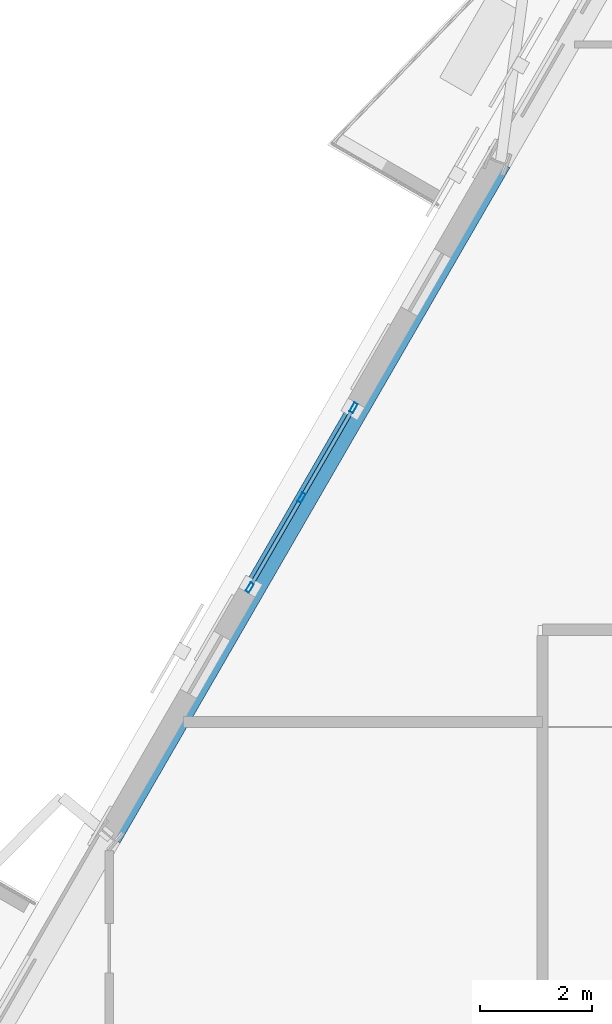
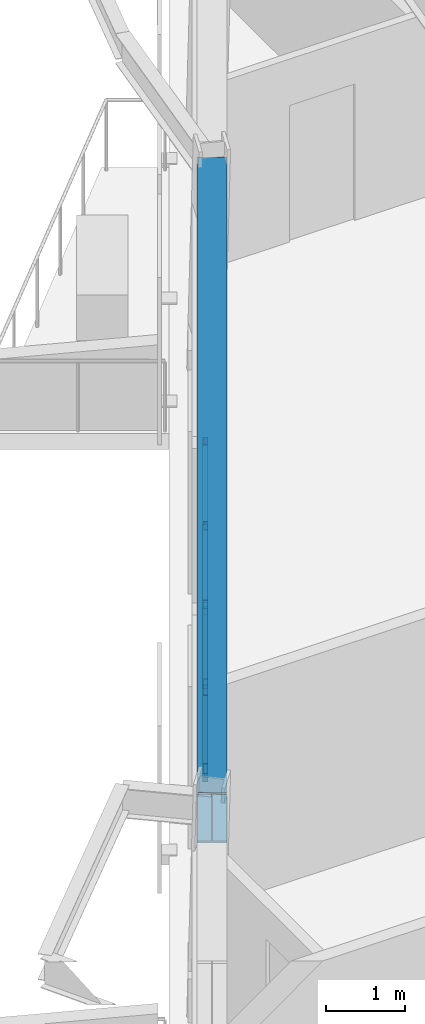
# One storey, part 5 of 16: 9 members, 1 beam, 1 element without a shape of its own.
"""IFC4 building model written with IfcOpenShell, lengths in metres."""

from ifc_helpers import new_model, si_unit, direction, frame, origin, origin_2d, place, context, subcontext, project, spatial, hollow_rectangle, i_section, extrude, material, layer, layer_set, material_profile, profile_set, type_object, element, aggregate, save


model = new_model("IFC4")

# Units and contexts
model_context = context("Model", 3, precision=1e-05, world=origin(), true_north=direction((0.0, 1.0)))
body_context = subcontext(model_context, "Body", "Model", "MODEL_VIEW")
ifc_project = project(units=[si_unit("LENGTHUNIT", "METRE"), si_unit("AREAUNIT", "SQUARE_METRE"), si_unit("VOLUMEUNIT", "CUBIC_METRE"), si_unit("PLANEANGLEUNIT", "RADIAN"), si_unit("MASSUNIT", "GRAM", prefix="KILO")], contexts=[model_context])

# Site, building, storey
site_placement = place(None, origin())
site = spatial("IfcSite", under=ifc_project, at=site_placement, CompositionType="ELEMENT")
building_placement = place(site_placement, origin())
building = spatial("IfcBuilding", under=site, at=building_placement, Name="Oramaril Tower", CompositionType="ELEMENT")
storey_placement = place(building_placement, frame((0.0, 0.0, 115.800048828125)))
storey = spatial("IfcBuildingStorey", under=building, at=storey_placement, Name="L30", CompositionType="ELEMENT", Elevation=115.800048828125)

# Beam
ifc_material_1 = material(Name="Steel ASTM A572 Gr 50", Category="steel")
ifc_material_profile_1 = material_profile(ifc_material_1, i_section(OverallWidth=0.381103515625, OverallDepth=0.77197265625, WebThickness=0.0166015625, FlangeThickness=0.027099609375, at=origin_2d()), Name="W30X173")
ifc_profile_set_1 = profile_set([ifc_material_profile_1], Name="Steel ASTM A572 Gr 50")
beam_type = type_object("IfcBeamType", Name="BT-SP2", PredefinedType="SPANDREL", material=ifc_profile_set_1)
beam_placement = place(storey_placement, frame((26.798583984375, 34.33837890625, 2.973876953125), z_axis=(-0.500000489483, -0.866025121181, 0.0), x_axis=(0.866025121181, -0.500000489483, 0.0)))
element("IfcBeam", 1, at=beam_placement, inside=storey, type_object=beam_type, Name="L30 Perimeter Spandrel 16", PredefinedType="SPANDREL", context=body_context, shape_type="SweptSolid", body=[
    extrude(i_section(OverallWidth=0.381103515625, OverallDepth=0.77197265625, WebThickness=0.0166015625, FlangeThickness=0.027099609375, at=origin_2d()), origin(), (0.0, 0.0, 1.0), 13.96044921875),
])

# Curtain wall, members
ifc_material_2 = material(Name="Anodised Aluminium 6063-T6", Category="aluminium")
ifc_layer = layer(ifc_material_2, 0.179931640625)
ifc_layer_set = layer_set([ifc_layer], Name="CWT-SYS3")
curtain_wall_type = type_object("IfcCurtainWallType", Name="CWT-SYS3", PredefinedType="NOTDEFINED", material=ifc_layer_set)
curtain_wall_placement = place(storey_placement, origin())
curtain_wall = element("IfcCurtainWall", 2, at=curtain_wall_placement, inside=storey, type_object=curtain_wall_type, Name="L30 Unitised Curtain Wall CW-3", PredefinedType="NOTDEFINED")
ifc_material_3 = material(Name="Anodised Aluminium 6063-T6", Category="aluminium")
ifc_material_profile_2 = material_profile(ifc_material_3, hollow_rectangle(XDim=0.070068359375, YDim=0.179931640625, WallThickness=0.00390625, at=origin_2d()), Name="CWM180X70")
ifc_profile_set_2 = profile_set([ifc_material_profile_2], Name="Anodised Aluminium 6063-T6")
member_type_1 = type_object("IfcMemberType", Name="MT-CWM2", PredefinedType="MULLION", material=ifc_profile_set_2)
member_1_placement = place(storey_placement, frame((24.166015625, 29.946044921875, 0.0), z_axis=(0.0, 0.0, 1.0), x_axis=(0.866025463091, -0.499999897278, 0.0)))
member_1 = element("IfcMember", 3, at=member_1_placement, type_object=member_type_1, Name="CW-3 mullion 1", PredefinedType="MULLION", context=body_context, shape_type="SweptSolid", body=[
    extrude(hollow_rectangle(XDim=0.070068359375, YDim=0.179931640625, WallThickness=0.00390625, at=origin_2d()), origin(), (0.0, 0.0, 1.0), 2.577880859375),
])
member_2_placement = place(storey_placement, frame((23.23583984375, 28.33544921875, 0.0), z_axis=(0.0, 0.0, 1.0), x_axis=(0.866025463091, -0.499999897278, 0.0)))
member_2 = element("IfcMember", 4, at=member_2_placement, type_object=member_type_1, Name="CW-3 mullion 2", PredefinedType="MULLION", context=body_context, shape_type="SweptSolid", body=[
    extrude(hollow_rectangle(XDim=0.070068359375, YDim=0.179931640625, WallThickness=0.00390625, at=origin_2d()), origin(), (0.0, 0.0, 1.0), 2.577880859375),
])
member_3_placement = place(storey_placement, frame((22.305908203125, 26.724609375, 0.0), z_axis=(0.0, 0.0, 1.0), x_axis=(0.866025463091, -0.499999897278, 0.0)))
member_3 = element("IfcMember", 5, at=member_3_placement, type_object=member_type_1, Name="CW-3 mullion 3", PredefinedType="MULLION", context=body_context, shape_type="SweptSolid", body=[
    extrude(hollow_rectangle(XDim=0.070068359375, YDim=0.179931640625, WallThickness=0.00390625, at=origin_2d()), origin(), (0.0, 0.0, 1.0), 2.577880859375),
])
ifc_material_4 = material(Name="Anodised Aluminium 6063-T6", Category="aluminium")
ifc_material_profile_3 = material_profile(ifc_material_4, hollow_rectangle(XDim=0.070068359375, YDim=0.159912109375, WallThickness=0.00390625, at=origin_2d()), Name="CWT160X70")
ifc_profile_set_3 = profile_set([ifc_material_profile_3], Name="Anodised Aluminium 6063-T6")
member_type_2 = type_object("IfcMemberType", Name="MT-CWT1", PredefinedType="USERDEFINED", material=ifc_profile_set_3)
member_4_placement = place(storey_placement, frame((24.120849609375, 29.8681640625, 0.079833984375), z_axis=(-0.499953100966, -0.866052479261, 0.0), x_axis=(0.866052479261, -0.499953100966, 0.0)))
member_4 = element("IfcMember", 6, at=member_4_placement, type_object=member_type_2, Name="CW-3 transom 1.1", ObjectType="TRANSOM", PredefinedType="USERDEFINED", context=body_context, shape_type="SweptSolid", body=[
    extrude(hollow_rectangle(XDim=0.070068359375, YDim=0.159912109375, WallThickness=0.00390625, at=origin_2d()), origin(), (0.0, 0.0, 1.0), 1.679931640625),
])
member_5_placement = place(storey_placement, frame((24.120849609375, 29.8681640625, 1.2890625), z_axis=(-0.499953100966, -0.866052479261, 0.0), x_axis=(0.866052479261, -0.499953100966, 0.0)))
member_5 = element("IfcMember", 7, at=member_5_placement, type_object=member_type_2, Name="CW-3 transom 1.2", ObjectType="TRANSOM", PredefinedType="USERDEFINED", context=body_context, shape_type="SweptSolid", body=[
    extrude(hollow_rectangle(XDim=0.070068359375, YDim=0.159912109375, WallThickness=0.00390625, at=origin_2d()), origin(), (0.0, 0.0, 1.0), 1.679931640625),
])
member_6_placement = place(storey_placement, frame((24.120849609375, 29.8681640625, 2.498046875), z_axis=(-0.499953100966, -0.866052479261, 0.0), x_axis=(0.866052479261, -0.499953100966, 0.0)))
member_6 = element("IfcMember", 8, at=member_6_placement, type_object=member_type_2, Name="CW-3 transom 1.3", ObjectType="TRANSOM", PredefinedType="USERDEFINED", context=body_context, shape_type="SweptSolid", body=[
    extrude(hollow_rectangle(XDim=0.070068359375, YDim=0.159912109375, WallThickness=0.00390625, at=origin_2d()), origin(), (0.0, 0.0, 1.0), 1.679931640625),
])
member_7_placement = place(storey_placement, frame((23.19091796875, 28.25732421875, 0.079833984375), z_axis=(-0.500062097304, -0.865989548921, 0.0), x_axis=(0.865989548921, -0.500062097304, 0.0)))
member_7 = element("IfcMember", 9, at=member_7_placement, type_object=member_type_2, Name="CW-3 transom 2.1", ObjectType="TRANSOM", PredefinedType="USERDEFINED", context=body_context, shape_type="SweptSolid", body=[
    extrude(hollow_rectangle(XDim=0.070068359375, YDim=0.159912109375, WallThickness=0.00390625, at=origin_2d()), origin(), (0.0, 0.0, 1.0), 1.679931640625),
])
member_8_placement = place(storey_placement, frame((23.19091796875, 28.25732421875, 1.2890625), z_axis=(-0.500062097304, -0.865989548921, 0.0), x_axis=(0.865989548921, -0.500062097304, 0.0)))
member_8 = element("IfcMember", 10, at=member_8_placement, type_object=member_type_2, Name="CW-3 transom 2.2", ObjectType="TRANSOM", PredefinedType="USERDEFINED", context=body_context, shape_type="SweptSolid", body=[
    extrude(hollow_rectangle(XDim=0.070068359375, YDim=0.159912109375, WallThickness=0.00390625, at=origin_2d()), origin(), (0.0, 0.0, 1.0), 1.679931640625),
])
member_9_placement = place(storey_placement, frame((23.19091796875, 28.25732421875, 2.498046875), z_axis=(-0.500062097304, -0.865989548921, 0.0), x_axis=(0.865989548921, -0.500062097304, 0.0)))
member_9 = element("IfcMember", 11, at=member_9_placement, type_object=member_type_2, Name="CW-3 transom 2.3", ObjectType="TRANSOM", PredefinedType="USERDEFINED", context=body_context, shape_type="SweptSolid", body=[
    extrude(hollow_rectangle(XDim=0.070068359375, YDim=0.159912109375, WallThickness=0.00390625, at=origin_2d()), origin(), (0.0, 0.0, 1.0), 1.679931640625),
])
aggregate(curtain_wall, [member_1, member_2, member_3, member_4, member_5, member_6, member_7, member_8, member_9])

save(model, "model.ifc")
